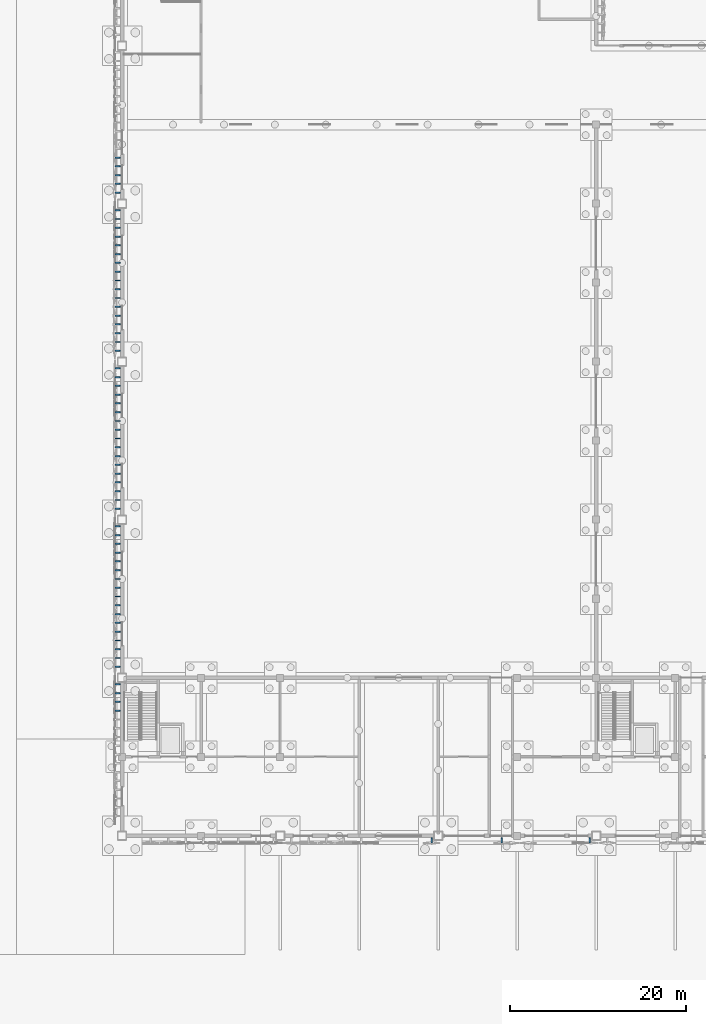
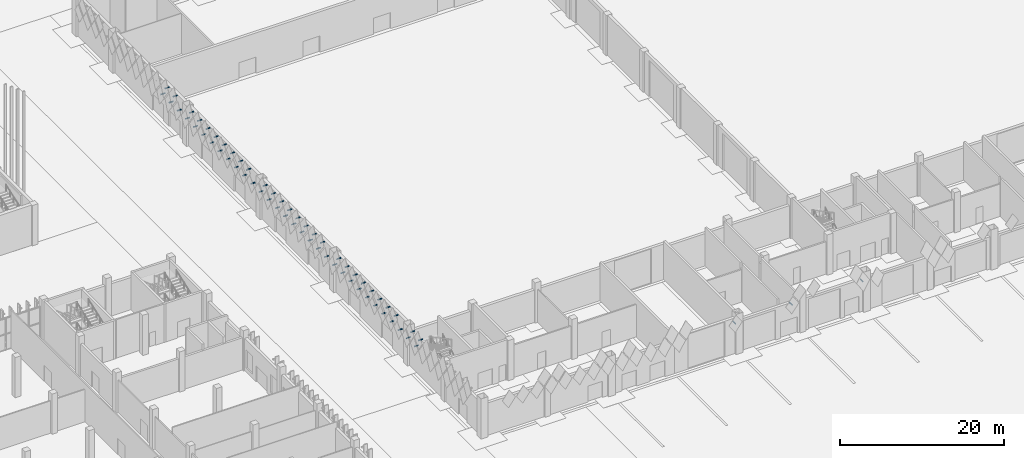
# One storey, part 118 of 198: 63 discrete accessories.
"""IFC4 building model written with IfcOpenShell, lengths in metres."""

from ifc_helpers import new_model, si_unit, direction, frame, origin, place, context, subcontext, project, spatial, polyline, outline, extrude, material, type_object, element, save


model = new_model("IFC4")

# Units and contexts
model_context = context("Model", 3, precision=1e-05, world=origin(), true_north=direction((0.0, 1.0)))
body_context = subcontext(model_context, "Body", "Model", "MODEL_VIEW")
ifc_project = project(units=[si_unit("LENGTHUNIT", "METRE"), si_unit("AREAUNIT", "SQUARE_METRE"), si_unit("VOLUMEUNIT", "CUBIC_METRE"), si_unit("PLANEANGLEUNIT", "RADIAN"), si_unit("MASSUNIT", "GRAM", prefix="KILO")], contexts=[model_context])

# Site, building, storey
site_placement = place(None, origin())
site = spatial("IfcSite", under=ifc_project, at=site_placement, CompositionType="ELEMENT")
building_placement = place(site_placement, origin())
building = spatial("IfcBuilding", under=site, at=building_placement, Name="Opaline Strait Convention Centre", CompositionType="ELEMENT")
storey_placement = place(building_placement, origin())
storey = spatial("IfcBuildingStorey", under=building, at=storey_placement, Name="L00", CompositionType="ELEMENT", Elevation=0.0)

# Discrete accessories
ifc_material = material(Name="Steel Q355B", Category="steel")
discrete_accessory_type = type_object("IfcDiscreteAccessoryType", Name="Tile bracket 100x100 steel", PredefinedType="BRACKET", material=ifc_material)
discrete_accessory_1_placement = place(storey_placement, frame((134.199951171875, 53.800048828125, 4.89208984375), z_axis=(1.0, 0.0, 0.0), x_axis=(0.0, 1.0, 0.0)))
element("IfcDiscreteAccessory", 1, at=discrete_accessory_1_placement, inside=storey, type_object=discrete_accessory_type, Name="Tile bracket XT09 S", PredefinedType="BRACKET", context=body_context, shape_type="SweptSolid", body=[
    extrude(outline(polyline([(0.0, -0.050048828125), (0.0, 0.050048828125), (-0.60400390625, 0.050048828125), (-0.595947265625, -0.050048828125), (0.0, -0.050048828125)])), origin(), (0.0, 0.0, 1.0), 0.10009765625),
])
discrete_accessory_2_placement = place(storey_placement, frame((142.199951171875, 53.800048828125, 4.89208984375), z_axis=(1.0, 0.0, 0.0), x_axis=(0.0, 1.0, 0.0)))
element("IfcDiscreteAccessory", 2, at=discrete_accessory_2_placement, inside=storey, type_object=discrete_accessory_type, Name="Tile bracket XT11 S", PredefinedType="BRACKET", context=body_context, shape_type="SweptSolid", body=[
    extrude(outline(polyline([(0.0, -0.050048828125), (0.0, 0.050048828125), (-0.604736328125, 0.050048828125), (-0.59521484375, -0.050048828125), (0.0, -0.050048828125)])), origin(), (0.0, 0.0, 1.0), 0.10009765625),
])
discrete_accessory_3_placement = place(storey_placement, frame((152.199951171875, 53.800048828125, 4.89208984375), z_axis=(1.0, 0.0, 0.0), x_axis=(0.0, 1.0, 0.0)))
element("IfcDiscreteAccessory", 3, at=discrete_accessory_3_placement, inside=storey, type_object=discrete_accessory_type, Name="Tile bracket XT11 S", PredefinedType="BRACKET", context=body_context, shape_type="SweptSolid", body=[
    extrude(outline(polyline([(0.0, -0.050048828125), (0.0, 0.050048828125), (-0.59521484375, 0.050048828125), (-0.604736328125, -0.050048828125), (0.0, -0.050048828125)])), origin(), (0.0, 0.0, 1.0), 0.10009765625),
])
for number, where, z_axis, x_axis, name in (
    (4, (98.800048828125, 131.300048828125, 4.39208984375), (0.0, -1.0, 0.0), (1.0, 0.0, 0.0), "Tile bracket XT13 W"),
    (5, (98.800048828125, 129.300048828125, 4.39208984375), (0.0, -1.0, 0.0), (1.0, 0.0, 0.0), "Tile bracket XT13 W"),
):
    element("IfcDiscreteAccessory", number, at=place(storey_placement, frame(where, z_axis=z_axis, x_axis=x_axis)), inside=storey, type_object=discrete_accessory_type, Name=name, PredefinedType="BRACKET", context=body_context, shape_type="SweptSolid", body=[
        extrude(outline(polyline([(0.0, -0.050048828125), (0.0, 0.050048828125), (-0.59423828125, 0.050048828125), (-0.605712890625, -0.050048828125), (0.0, -0.050048828125)])), origin(), (0.0, 0.0, 1.0), 0.10009765625),
    ])
discrete_accessory_4_placement = place(storey_placement, frame((98.800048828125, 127.300048828125, 4.39208984375), z_axis=(0.0, -1.0, 0.0), x_axis=(1.0, 0.0, 0.0)))
element("IfcDiscreteAccessory", 6, at=discrete_accessory_4_placement, inside=storey, type_object=discrete_accessory_type, Name="Tile bracket XT10 W", PredefinedType="BRACKET", context=body_context, shape_type="SweptSolid", body=[
    extrude(outline(polyline([(0.0, -0.050048828125), (0.0, 0.050048828125), (-0.595703125, 0.050048828125), (-0.604248046875, -0.050048828125), (0.0, -0.050048828125)])), origin(), (0.0, 0.0, 1.0), 0.10009765625),
])
discrete_accessory_5_placement = place(storey_placement, frame((98.800048828125, 125.300048828125, 4.39208984375), z_axis=(0.0, -1.0, 0.0), x_axis=(1.0, 0.0, 0.0)))
element("IfcDiscreteAccessory", 7, at=discrete_accessory_5_placement, inside=storey, type_object=discrete_accessory_type, Name="Tile bracket XT06 W", PredefinedType="BRACKET", context=body_context, shape_type="SweptSolid", body=[
    extrude(outline(polyline([(0.0, -0.050048828125), (0.0, 0.050048828125), (-0.597412109375, 0.050048828125), (-0.6025390625, -0.050048828125), (0.0, -0.050048828125)])), origin(), (0.0, 0.0, 1.0), 0.10009765625),
])
discrete_accessory_6_placement = place(storey_placement, frame((98.800048828125, 123.300048828125, 4.39208984375), z_axis=(0.0, -1.0, 0.0), x_axis=(1.0, 0.0, 0.0)))
element("IfcDiscreteAccessory", 8, at=discrete_accessory_6_placement, inside=storey, type_object=discrete_accessory_type, Name="Tile bracket XT05 W", PredefinedType="BRACKET", context=body_context, shape_type="SweptSolid", body=[
    extrude(outline(polyline([(0.0, -0.050048828125), (0.0, 0.050048828125), (-0.597900390625, 0.050048828125), (-0.602294921875, -0.050048828125), (0.0, -0.050048828125)])), origin(), (0.0, 0.0, 1.0), 0.10009765625),
])
discrete_accessory_7_placement = place(storey_placement, frame((98.800048828125, 121.300048828125, 4.39208984375), z_axis=(0.0, -1.0, 0.0), x_axis=(1.0, 0.0, 0.0)))
element("IfcDiscreteAccessory", 9, at=discrete_accessory_7_placement, inside=storey, type_object=discrete_accessory_type, Name="Tile bracket XT05 W", PredefinedType="BRACKET", context=body_context, shape_type="SweptSolid", body=[
    extrude(outline(polyline([(0.0, -0.050048828125), (0.0, 0.050048828125), (-0.602294921875, 0.050048828125), (-0.597900390625, -0.050048828125), (0.0, -0.050048828125)])), origin(), (0.0, 0.0, 1.0), 0.10009765625),
])
discrete_accessory_8_placement = place(storey_placement, frame((98.800048828125, 119.300048828125, 4.39208984375), z_axis=(0.0, -1.0, 0.0), x_axis=(1.0, 0.0, 0.0)))
element("IfcDiscreteAccessory", 10, at=discrete_accessory_8_placement, inside=storey, type_object=discrete_accessory_type, Name="Tile bracket XT09 W", PredefinedType="BRACKET", context=body_context, shape_type="SweptSolid", body=[
    extrude(outline(polyline([(0.0, -0.050048828125), (0.0, 0.050048828125), (-0.60400390625, 0.050048828125), (-0.595947265625, -0.050048828125), (0.0, -0.050048828125)])), origin(), (0.0, 0.0, 1.0), 0.10009765625),
])
discrete_accessory_9_placement = place(storey_placement, frame((98.800048828125, 117.300048828125, 4.39208984375), z_axis=(0.0, -1.0, 0.0), x_axis=(1.0, 0.0, 0.0)))
element("IfcDiscreteAccessory", 11, at=discrete_accessory_9_placement, inside=storey, type_object=discrete_accessory_type, Name="Tile bracket XT13 W", PredefinedType="BRACKET", context=body_context, shape_type="SweptSolid", body=[
    extrude(outline(polyline([(0.0, -0.050048828125), (0.0, 0.050048828125), (-0.605712890625, 0.050048828125), (-0.59423828125, -0.050048828125), (0.0, -0.050048828125)])), origin(), (0.0, 0.0, 1.0), 0.10009765625),
])
discrete_accessory_10_placement = place(storey_placement, frame((98.800048828125, 115.300048828125, 4.39208984375), z_axis=(0.0, -1.0, 0.0), x_axis=(1.0, 0.0, 0.0)))
element("IfcDiscreteAccessory", 12, at=discrete_accessory_10_placement, inside=storey, type_object=discrete_accessory_type, Name="Tile bracket XT15 W", PredefinedType="BRACKET", context=body_context, shape_type="SweptSolid", body=[
    extrude(outline(polyline([(0.0, -0.050048828125), (0.0, 0.050048828125), (-0.606689453125, 0.050048828125), (-0.593505859375, -0.050048828125), (0.0, -0.050048828125)])), origin(), (0.0, 0.0, 1.0), 0.10009765625),
])
discrete_accessory_11_placement = place(storey_placement, frame((98.800048828125, 113.300048828125, 4.39208984375), z_axis=(0.0, -1.0, 0.0), x_axis=(1.0, 0.0, 0.0)))
element("IfcDiscreteAccessory", 13, at=discrete_accessory_11_placement, inside=storey, type_object=discrete_accessory_type, Name="Tile bracket XT16 W", PredefinedType="BRACKET", context=body_context, shape_type="SweptSolid", body=[
    extrude(outline(polyline([(0.0, -0.050048828125), (0.0, 0.050048828125), (-0.60693359375, 0.050048828125), (-0.593017578125, -0.050048828125), (0.0, -0.050048828125)])), origin(), (0.0, 0.0, 1.0), 0.10009765625),
])
discrete_accessory_12_placement = place(storey_placement, frame((98.800048828125, 111.300048828125, 4.39208984375), z_axis=(0.0, -1.0, 0.0), x_axis=(1.0, 0.0, 0.0)))
element("IfcDiscreteAccessory", 14, at=discrete_accessory_12_placement, inside=storey, type_object=discrete_accessory_type, Name="Tile bracket XT15 W", PredefinedType="BRACKET", context=body_context, shape_type="SweptSolid", body=[
    extrude(outline(polyline([(0.0, -0.050048828125), (0.0, 0.050048828125), (-0.606689453125, 0.050048828125), (-0.593505859375, -0.050048828125), (0.0, -0.050048828125)])), origin(), (0.0, 0.0, 1.0), 0.10009765625),
])
discrete_accessory_13_placement = place(storey_placement, frame((98.800048828125, 109.300048828125, 4.39208984375), z_axis=(0.0, -1.0, 0.0), x_axis=(1.0, 0.0, 0.0)))
element("IfcDiscreteAccessory", 15, at=discrete_accessory_13_placement, inside=storey, type_object=discrete_accessory_type, Name="Tile bracket XT12 W", PredefinedType="BRACKET", context=body_context, shape_type="SweptSolid", body=[
    extrude(outline(polyline([(0.0, -0.050048828125), (0.0, 0.050048828125), (-0.605224609375, 0.050048828125), (-0.5947265625, -0.050048828125), (0.0, -0.050048828125)])), origin(), (0.0, 0.0, 1.0), 0.10009765625),
])
discrete_accessory_14_placement = place(storey_placement, frame((98.800048828125, 107.300048828125, 4.39208984375), z_axis=(0.0, -1.0, 0.0), x_axis=(1.0, 0.0, 0.0)))
element("IfcDiscreteAccessory", 16, at=discrete_accessory_14_placement, inside=storey, type_object=discrete_accessory_type, Name="Tile bracket XT07 W", PredefinedType="BRACKET", context=body_context, shape_type="SweptSolid", body=[
    extrude(outline(polyline([(0.0, -0.050048828125), (0.0, 0.050048828125), (-0.60302734375, 0.050048828125), (-0.596923828125, -0.050048828125), (0.0, -0.050048828125)])), origin(), (0.0, 0.0, 1.0), 0.10009765625),
])
discrete_accessory_15_placement = place(storey_placement, frame((98.800048828125, 105.300048828125, 4.39208984375), z_axis=(0.0, -1.0, 0.0), x_axis=(1.0, 0.0, 0.0)))
element("IfcDiscreteAccessory", 17, at=discrete_accessory_15_placement, inside=storey, type_object=discrete_accessory_type, Name="Tile bracket XT06 W", PredefinedType="BRACKET", context=body_context, shape_type="SweptSolid", body=[
    extrude(outline(polyline([(0.0, -0.050048828125), (0.0, 0.050048828125), (-0.6025390625, 0.050048828125), (-0.597412109375, -0.050048828125), (0.0, -0.050048828125)])), origin(), (0.0, 0.0, 1.0), 0.10009765625),
])
discrete_accessory_16_placement = place(storey_placement, frame((98.800048828125, 103.300048828125, 4.39208984375), z_axis=(0.0, -1.0, 0.0), x_axis=(1.0, 0.0, 0.0)))
element("IfcDiscreteAccessory", 18, at=discrete_accessory_16_placement, inside=storey, type_object=discrete_accessory_type, Name="Tile bracket XT06 W", PredefinedType="BRACKET", context=body_context, shape_type="SweptSolid", body=[
    extrude(outline(polyline([(0.0, -0.050048828125), (0.0, 0.050048828125), (-0.597412109375, 0.050048828125), (-0.6025390625, -0.050048828125), (0.0, -0.050048828125)])), origin(), (0.0, 0.0, 1.0), 0.10009765625),
])
discrete_accessory_17_placement = place(storey_placement, frame((98.800048828125, 101.300048828125, 4.39208984375), z_axis=(0.0, -1.0, 0.0), x_axis=(1.0, 0.0, 0.0)))
element("IfcDiscreteAccessory", 19, at=discrete_accessory_17_placement, inside=storey, type_object=discrete_accessory_type, Name="Tile bracket XT10 W", PredefinedType="BRACKET", context=body_context, shape_type="SweptSolid", body=[
    extrude(outline(polyline([(0.0, -0.050048828125), (0.0, 0.050048828125), (-0.595703125, 0.050048828125), (-0.604248046875, -0.050048828125), (0.0, -0.050048828125)])), origin(), (0.0, 0.0, 1.0), 0.10009765625),
])
discrete_accessory_18_placement = place(storey_placement, frame((98.800048828125, 99.300048828125, 4.39208984375), z_axis=(0.0, -1.0, 0.0), x_axis=(1.0, 0.0, 0.0)))
element("IfcDiscreteAccessory", 20, at=discrete_accessory_18_placement, inside=storey, type_object=discrete_accessory_type, Name="Tile bracket XT14 W", PredefinedType="BRACKET", context=body_context, shape_type="SweptSolid", body=[
    extrude(outline(polyline([(0.0, -0.050048828125), (0.0, 0.050048828125), (-0.59375, 0.050048828125), (-0.606201171875, -0.050048828125), (0.0, -0.050048828125)])), origin(), (0.0, 0.0, 1.0), 0.10009765625),
])
discrete_accessory_19_placement = place(storey_placement, frame((98.800048828125, 97.300048828125, 4.39208984375), z_axis=(0.0, -1.0, 0.0), x_axis=(1.0, 0.0, 0.0)))
element("IfcDiscreteAccessory", 21, at=discrete_accessory_19_placement, inside=storey, type_object=discrete_accessory_type, Name="Tile bracket XT16 W", PredefinedType="BRACKET", context=body_context, shape_type="SweptSolid", body=[
    extrude(outline(polyline([(0.0, -0.050048828125), (0.0, 0.050048828125), (-0.593017578125, 0.050048828125), (-0.60693359375, -0.050048828125), (0.0, -0.050048828125)])), origin(), (0.0, 0.0, 1.0), 0.10009765625),
])
discrete_accessory_20_placement = place(storey_placement, frame((98.800048828125, 95.300048828125, 4.39208984375), z_axis=(0.0, -1.0, 0.0), x_axis=(1.0, 0.0, 0.0)))
element("IfcDiscreteAccessory", 22, at=discrete_accessory_20_placement, inside=storey, type_object=discrete_accessory_type, Name="Tile bracket XT17 W", PredefinedType="BRACKET", context=body_context, shape_type="SweptSolid", body=[
    extrude(outline(polyline([(0.0, -0.050048828125), (0.0, 0.050048828125), (-0.592529296875, 0.050048828125), (-0.607421875, -0.050048828125), (0.0, -0.050048828125)])), origin(), (0.0, 0.0, 1.0), 0.10009765625),
])
discrete_accessory_21_placement = place(storey_placement, frame((98.800048828125, 93.300048828125, 4.39208984375), z_axis=(0.0, -1.0, 0.0), x_axis=(1.0, 0.0, 0.0)))
element("IfcDiscreteAccessory", 23, at=discrete_accessory_21_placement, inside=storey, type_object=discrete_accessory_type, Name="Tile bracket XT15 W", PredefinedType="BRACKET", context=body_context, shape_type="SweptSolid", body=[
    extrude(outline(polyline([(0.0, -0.050048828125), (0.0, 0.050048828125), (-0.593505859375, 0.050048828125), (-0.606689453125, -0.050048828125), (0.0, -0.050048828125)])), origin(), (0.0, 0.0, 1.0), 0.10009765625),
])
discrete_accessory_22_placement = place(storey_placement, frame((98.800048828125, 91.300048828125, 4.39208984375), z_axis=(0.0, -1.0, 0.0), x_axis=(1.0, 0.0, 0.0)))
element("IfcDiscreteAccessory", 24, at=discrete_accessory_22_placement, inside=storey, type_object=discrete_accessory_type, Name="Tile bracket XT11 W", PredefinedType="BRACKET", context=body_context, shape_type="SweptSolid", body=[
    extrude(outline(polyline([(0.0, -0.050048828125), (0.0, 0.050048828125), (-0.59521484375, 0.050048828125), (-0.604736328125, -0.050048828125), (0.0, -0.050048828125)])), origin(), (0.0, 0.0, 1.0), 0.10009765625),
])
discrete_accessory_23_placement = place(storey_placement, frame((98.800048828125, 89.300048828125, 4.39208984375), z_axis=(0.0, -1.0, 0.0), x_axis=(1.0, 0.0, 0.0)))
element("IfcDiscreteAccessory", 25, at=discrete_accessory_23_placement, inside=storey, type_object=discrete_accessory_type, Name="Tile bracket XT07 W", PredefinedType="BRACKET", context=body_context, shape_type="SweptSolid", body=[
    extrude(outline(polyline([(0.0, -0.050048828125), (0.0, 0.050048828125), (-0.596923828125, 0.050048828125), (-0.60302734375, -0.050048828125), (0.0, -0.050048828125)])), origin(), (0.0, 0.0, 1.0), 0.10009765625),
])
discrete_accessory_24_placement = place(storey_placement, frame((98.800048828125, 87.300048828125, 4.39208984375), z_axis=(0.0, -1.0, 0.0), x_axis=(1.0, 0.0, 0.0)))
element("IfcDiscreteAccessory", 26, at=discrete_accessory_24_placement, inside=storey, type_object=discrete_accessory_type, Name="Tile bracket XT06 W", PredefinedType="BRACKET", context=body_context, shape_type="SweptSolid", body=[
    extrude(outline(polyline([(0.0, -0.050048828125), (0.0, 0.050048828125), (-0.597412109375, 0.050048828125), (-0.6025390625, -0.050048828125), (0.0, -0.050048828125)])), origin(), (0.0, 0.0, 1.0), 0.10009765625),
])
discrete_accessory_25_placement = place(storey_placement, frame((98.800048828125, 85.300048828125, 4.39208984375), z_axis=(0.0, -1.0, 0.0), x_axis=(1.0, 0.0, 0.0)))
element("IfcDiscreteAccessory", 27, at=discrete_accessory_25_placement, inside=storey, type_object=discrete_accessory_type, Name="Tile bracket XT05 W", PredefinedType="BRACKET", context=body_context, shape_type="SweptSolid", body=[
    extrude(outline(polyline([(0.0, -0.050048828125), (0.0, 0.050048828125), (-0.602294921875, 0.050048828125), (-0.597900390625, -0.050048828125), (0.0, -0.050048828125)])), origin(), (0.0, 0.0, 1.0), 0.10009765625),
])
discrete_accessory_26_placement = place(storey_placement, frame((98.800048828125, 83.300048828125, 4.39208984375), z_axis=(0.0, -1.0, 0.0), x_axis=(1.0, 0.0, 0.0)))
element("IfcDiscreteAccessory", 28, at=discrete_accessory_26_placement, inside=storey, type_object=discrete_accessory_type, Name="Tile bracket XT09 W", PredefinedType="BRACKET", context=body_context, shape_type="SweptSolid", body=[
    extrude(outline(polyline([(0.0, -0.050048828125), (0.0, 0.050048828125), (-0.60400390625, 0.050048828125), (-0.595947265625, -0.050048828125), (0.0, -0.050048828125)])), origin(), (0.0, 0.0, 1.0), 0.10009765625),
])
discrete_accessory_27_placement = place(storey_placement, frame((98.800048828125, 81.300048828125, 4.39208984375), z_axis=(0.0, -1.0, 0.0), x_axis=(1.0, 0.0, 0.0)))
element("IfcDiscreteAccessory", 29, at=discrete_accessory_27_placement, inside=storey, type_object=discrete_accessory_type, Name="Tile bracket XT11 W", PredefinedType="BRACKET", context=body_context, shape_type="SweptSolid", body=[
    extrude(outline(polyline([(0.0, -0.050048828125), (0.0, 0.050048828125), (-0.604736328125, 0.050048828125), (-0.59521484375, -0.050048828125), (0.0, -0.050048828125)])), origin(), (0.0, 0.0, 1.0), 0.10009765625),
])
for number, where, z_axis, x_axis, name in (
    (30, (98.800048828125, 79.300048828125, 4.39208984375), (0.0, -1.0, 0.0), (1.0, 0.0, 0.0), "Tile bracket XT13 W"),
    (31, (98.800048828125, 77.300048828125, 4.39208984375), (0.0, -1.0, 0.0), (1.0, 0.0, 0.0), "Tile bracket XT13 W"),
):
    element("IfcDiscreteAccessory", number, at=place(storey_placement, frame(where, z_axis=z_axis, x_axis=x_axis)), inside=storey, type_object=discrete_accessory_type, Name=name, PredefinedType="BRACKET", context=body_context, shape_type="SweptSolid", body=[
        extrude(outline(polyline([(0.0, -0.050048828125), (0.0, 0.050048828125), (-0.605712890625, 0.050048828125), (-0.59423828125, -0.050048828125), (0.0, -0.050048828125)])), origin(), (0.0, 0.0, 1.0), 0.10009765625),
    ])
discrete_accessory_28_placement = place(storey_placement, frame((98.800048828125, 75.300048828125, 4.39208984375), z_axis=(0.0, -1.0, 0.0), x_axis=(1.0, 0.0, 0.0)))
element("IfcDiscreteAccessory", 32, at=discrete_accessory_28_placement, inside=storey, type_object=discrete_accessory_type, Name="Tile bracket XT12 W", PredefinedType="BRACKET", context=body_context, shape_type="SweptSolid", body=[
    extrude(outline(polyline([(0.0, -0.050048828125), (0.0, 0.050048828125), (-0.605224609375, 0.050048828125), (-0.5947265625, -0.050048828125), (0.0, -0.050048828125)])), origin(), (0.0, 0.0, 1.0), 0.10009765625),
])
discrete_accessory_29_placement = place(storey_placement, frame((98.800048828125, 73.300048828125, 4.39208984375), z_axis=(0.0, -1.0, 0.0), x_axis=(1.0, 0.0, 0.0)))
element("IfcDiscreteAccessory", 33, at=discrete_accessory_29_placement, inside=storey, type_object=discrete_accessory_type, Name="Tile bracket XT09 W", PredefinedType="BRACKET", context=body_context, shape_type="SweptSolid", body=[
    extrude(outline(polyline([(0.0, -0.050048828125), (0.0, 0.050048828125), (-0.60400390625, 0.050048828125), (-0.595947265625, -0.050048828125), (0.0, -0.050048828125)])), origin(), (0.0, 0.0, 1.0), 0.10009765625),
])
discrete_accessory_30_placement = place(storey_placement, frame((98.800048828125, 71.300048828125, 4.39208984375), z_axis=(0.0, -1.0, 0.0), x_axis=(1.0, 0.0, 0.0)))
element("IfcDiscreteAccessory", 34, at=discrete_accessory_30_placement, inside=storey, type_object=discrete_accessory_type, Name="Tile bracket XT05 W", PredefinedType="BRACKET", context=body_context, shape_type="SweptSolid", body=[
    extrude(outline(polyline([(0.0, -0.050048828125), (0.0, 0.050048828125), (-0.602294921875, 0.050048828125), (-0.597900390625, -0.050048828125), (0.0, -0.050048828125)])), origin(), (0.0, 0.0, 1.0), 0.10009765625),
])
discrete_accessory_31_placement = place(storey_placement, frame((98.800048828125, 69.300048828125, 4.39208984375), z_axis=(0.0, -1.0, 0.0), x_axis=(1.0, 0.0, 0.0)))
element("IfcDiscreteAccessory", 35, at=discrete_accessory_31_placement, inside=storey, type_object=discrete_accessory_type, Name="Tile bracket XT04 W", PredefinedType="BRACKET", context=body_context, shape_type="SweptSolid", body=[
    extrude(outline(polyline([(0.0, -0.050048828125), (0.0, 0.050048828125), (-0.601806640625, 0.050048828125), (-0.59814453125, -0.050048828125), (0.0, -0.050048828125)])), origin(), (0.0, 0.0, 1.0), 0.10009765625),
])
for number, where, z_axis, x_axis, name in (
    (36, (98.800048828125, 130.300048828125, 5.89208984375), (0.0, -1.0, 0.0), (1.0, 0.0, 0.0), "Tile bracket XT13 W"),
    (37, (98.800048828125, 128.300048828125, 5.89208984375), (0.0, -1.0, 0.0), (1.0, 0.0, 0.0), "Tile bracket XT13 W"),
):
    element("IfcDiscreteAccessory", number, at=place(storey_placement, frame(where, z_axis=z_axis, x_axis=x_axis)), inside=storey, type_object=discrete_accessory_type, Name=name, PredefinedType="BRACKET", context=body_context, shape_type="SweptSolid", body=[
        extrude(outline(polyline([(0.0, -0.050048828125), (0.0, 0.050048828125), (-0.59423828125, 0.050048828125), (-0.605712890625, -0.050048828125), (0.0, -0.050048828125)])), origin(), (0.0, 0.0, 1.0), 0.10009765625),
    ])
discrete_accessory_32_placement = place(storey_placement, frame((98.800048828125, 124.300048828125, 5.89208984375), z_axis=(0.0, -1.0, 0.0), x_axis=(1.0, 0.0, 0.0)))
element("IfcDiscreteAccessory", 38, at=discrete_accessory_32_placement, inside=storey, type_object=discrete_accessory_type, Name="Tile bracket XT07 W", PredefinedType="BRACKET", context=body_context, shape_type="SweptSolid", body=[
    extrude(outline(polyline([(0.0, -0.050048828125), (0.0, 0.050048828125), (-0.596923828125, 0.050048828125), (-0.60302734375, -0.050048828125), (0.0, -0.050048828125)])), origin(), (0.0, 0.0, 1.0), 0.10009765625),
])
discrete_accessory_33_placement = place(storey_placement, frame((98.800048828125, 122.300048828125, 5.89208984375), z_axis=(0.0, -1.0, 0.0), x_axis=(1.0, 0.0, 0.0)))
element("IfcDiscreteAccessory", 39, at=discrete_accessory_33_placement, inside=storey, type_object=discrete_accessory_type, Name="Tile bracket XT05 W", PredefinedType="BRACKET", context=body_context, shape_type="SweptSolid", body=[
    extrude(outline(polyline([(0.0, -0.050048828125), (0.0, 0.050048828125), (-0.597900390625, 0.050048828125), (-0.602294921875, -0.050048828125), (0.0, -0.050048828125)])), origin(), (0.0, 0.0, 1.0), 0.10009765625),
])
discrete_accessory_34_placement = place(storey_placement, frame((98.800048828125, 120.300048828125, 5.89208984375), z_axis=(0.0, -1.0, 0.0), x_axis=(1.0, 0.0, 0.0)))
element("IfcDiscreteAccessory", 40, at=discrete_accessory_34_placement, inside=storey, type_object=discrete_accessory_type, Name="Tile bracket XT05 W", PredefinedType="BRACKET", context=body_context, shape_type="SweptSolid", body=[
    extrude(outline(polyline([(0.0, -0.050048828125), (0.0, 0.050048828125), (-0.602294921875, 0.050048828125), (-0.597900390625, -0.050048828125), (0.0, -0.050048828125)])), origin(), (0.0, 0.0, 1.0), 0.10009765625),
])
discrete_accessory_35_placement = place(storey_placement, frame((98.800048828125, 118.300048828125, 5.89208984375), z_axis=(0.0, -1.0, 0.0), x_axis=(1.0, 0.0, 0.0)))
element("IfcDiscreteAccessory", 41, at=discrete_accessory_35_placement, inside=storey, type_object=discrete_accessory_type, Name="Tile bracket XT09 W", PredefinedType="BRACKET", context=body_context, shape_type="SweptSolid", body=[
    extrude(outline(polyline([(0.0, -0.050048828125), (0.0, 0.050048828125), (-0.60400390625, 0.050048828125), (-0.595947265625, -0.050048828125), (0.0, -0.050048828125)])), origin(), (0.0, 0.0, 1.0), 0.10009765625),
])
discrete_accessory_36_placement = place(storey_placement, frame((98.800048828125, 116.300048828125, 5.89208984375), z_axis=(0.0, -1.0, 0.0), x_axis=(1.0, 0.0, 0.0)))
element("IfcDiscreteAccessory", 42, at=discrete_accessory_36_placement, inside=storey, type_object=discrete_accessory_type, Name="Tile bracket XT13 W", PredefinedType="BRACKET", context=body_context, shape_type="SweptSolid", body=[
    extrude(outline(polyline([(0.0, -0.050048828125), (0.0, 0.050048828125), (-0.605712890625, 0.050048828125), (-0.59423828125, -0.050048828125), (0.0, -0.050048828125)])), origin(), (0.0, 0.0, 1.0), 0.10009765625),
])
discrete_accessory_37_placement = place(storey_placement, frame((98.800048828125, 114.300048828125, 5.89208984375), z_axis=(0.0, -1.0, 0.0), x_axis=(1.0, 0.0, 0.0)))
element("IfcDiscreteAccessory", 43, at=discrete_accessory_37_placement, inside=storey, type_object=discrete_accessory_type, Name="Tile bracket XT15 W", PredefinedType="BRACKET", context=body_context, shape_type="SweptSolid", body=[
    extrude(outline(polyline([(0.0, -0.050048828125), (0.0, 0.050048828125), (-0.606689453125, 0.050048828125), (-0.593505859375, -0.050048828125), (0.0, -0.050048828125)])), origin(), (0.0, 0.0, 1.0), 0.10009765625),
])
discrete_accessory_38_placement = place(storey_placement, frame((98.800048828125, 112.300048828125, 5.89208984375), z_axis=(0.0, -1.0, 0.0), x_axis=(1.0, 0.0, 0.0)))
element("IfcDiscreteAccessory", 44, at=discrete_accessory_38_placement, inside=storey, type_object=discrete_accessory_type, Name="Tile bracket XT17 W", PredefinedType="BRACKET", context=body_context, shape_type="SweptSolid", body=[
    extrude(outline(polyline([(0.0, -0.050048828125), (0.0, 0.050048828125), (-0.607421875, 0.050048828125), (-0.592529296875, -0.050048828125), (0.0, -0.050048828125)])), origin(), (0.0, 0.0, 1.0), 0.10009765625),
])
discrete_accessory_39_placement = place(storey_placement, frame((98.800048828125, 110.300048828125, 5.89208984375), z_axis=(0.0, -1.0, 0.0), x_axis=(1.0, 0.0, 0.0)))
element("IfcDiscreteAccessory", 45, at=discrete_accessory_39_placement, inside=storey, type_object=discrete_accessory_type, Name="Tile bracket XT16 W", PredefinedType="BRACKET", context=body_context, shape_type="SweptSolid", body=[
    extrude(outline(polyline([(0.0, -0.050048828125), (0.0, 0.050048828125), (-0.60693359375, 0.050048828125), (-0.593017578125, -0.050048828125), (0.0, -0.050048828125)])), origin(), (0.0, 0.0, 1.0), 0.10009765625),
])
discrete_accessory_40_placement = place(storey_placement, frame((98.800048828125, 106.300048828125, 5.89208984375), z_axis=(0.0, -1.0, 0.0), x_axis=(1.0, 0.0, 0.0)))
element("IfcDiscreteAccessory", 46, at=discrete_accessory_40_placement, inside=storey, type_object=discrete_accessory_type, Name="Tile bracket XT08 W", PredefinedType="BRACKET", context=body_context, shape_type="SweptSolid", body=[
    extrude(outline(polyline([(0.0, -0.050048828125), (0.0, 0.050048828125), (-0.603515625, 0.050048828125), (-0.596435546875, -0.050048828125), (0.0, -0.050048828125)])), origin(), (0.0, 0.0, 1.0), 0.10009765625),
])
discrete_accessory_41_placement = place(storey_placement, frame((98.800048828125, 104.300048828125, 5.89208984375), z_axis=(0.0, -1.0, 0.0), x_axis=(1.0, 0.0, 0.0)))
element("IfcDiscreteAccessory", 47, at=discrete_accessory_41_placement, inside=storey, type_object=discrete_accessory_type, Name="Tile bracket XT06 W", PredefinedType="BRACKET", context=body_context, shape_type="SweptSolid", body=[
    extrude(outline(polyline([(0.0, -0.050048828125), (0.0, 0.050048828125), (-0.6025390625, 0.050048828125), (-0.597412109375, -0.050048828125), (0.0, -0.050048828125)])), origin(), (0.0, 0.0, 1.0), 0.10009765625),
])
discrete_accessory_42_placement = place(storey_placement, frame((98.800048828125, 102.300048828125, 5.89208984375), z_axis=(0.0, -1.0, 0.0), x_axis=(1.0, 0.0, 0.0)))
element("IfcDiscreteAccessory", 48, at=discrete_accessory_42_placement, inside=storey, type_object=discrete_accessory_type, Name="Tile bracket XT06 W", PredefinedType="BRACKET", context=body_context, shape_type="SweptSolid", body=[
    extrude(outline(polyline([(0.0, -0.050048828125), (0.0, 0.050048828125), (-0.597412109375, 0.050048828125), (-0.6025390625, -0.050048828125), (0.0, -0.050048828125)])), origin(), (0.0, 0.0, 1.0), 0.10009765625),
])
discrete_accessory_43_placement = place(storey_placement, frame((98.800048828125, 100.300048828125, 5.89208984375), z_axis=(0.0, -1.0, 0.0), x_axis=(1.0, 0.0, 0.0)))
element("IfcDiscreteAccessory", 49, at=discrete_accessory_43_placement, inside=storey, type_object=discrete_accessory_type, Name="Tile bracket XT09 W", PredefinedType="BRACKET", context=body_context, shape_type="SweptSolid", body=[
    extrude(outline(polyline([(0.0, -0.050048828125), (0.0, 0.050048828125), (-0.595947265625, 0.050048828125), (-0.60400390625, -0.050048828125), (0.0, -0.050048828125)])), origin(), (0.0, 0.0, 1.0), 0.10009765625),
])
discrete_accessory_44_placement = place(storey_placement, frame((98.800048828125, 98.300048828125, 5.89208984375), z_axis=(0.0, -1.0, 0.0), x_axis=(1.0, 0.0, 0.0)))
element("IfcDiscreteAccessory", 50, at=discrete_accessory_44_placement, inside=storey, type_object=discrete_accessory_type, Name="Tile bracket XT14 W", PredefinedType="BRACKET", context=body_context, shape_type="SweptSolid", body=[
    extrude(outline(polyline([(0.0, -0.050048828125), (0.0, 0.050048828125), (-0.59375, 0.050048828125), (-0.606201171875, -0.050048828125), (0.0, -0.050048828125)])), origin(), (0.0, 0.0, 1.0), 0.10009765625),
])
discrete_accessory_45_placement = place(storey_placement, frame((98.800048828125, 96.300048828125, 5.89208984375), z_axis=(0.0, -1.0, 0.0), x_axis=(1.0, 0.0, 0.0)))
element("IfcDiscreteAccessory", 51, at=discrete_accessory_45_placement, inside=storey, type_object=discrete_accessory_type, Name="Tile bracket XT16 W", PredefinedType="BRACKET", context=body_context, shape_type="SweptSolid", body=[
    extrude(outline(polyline([(0.0, -0.050048828125), (0.0, 0.050048828125), (-0.593017578125, 0.050048828125), (-0.60693359375, -0.050048828125), (0.0, -0.050048828125)])), origin(), (0.0, 0.0, 1.0), 0.10009765625),
])
discrete_accessory_46_placement = place(storey_placement, frame((98.800048828125, 94.300048828125, 5.89208984375), z_axis=(0.0, -1.0, 0.0), x_axis=(1.0, 0.0, 0.0)))
element("IfcDiscreteAccessory", 52, at=discrete_accessory_46_placement, inside=storey, type_object=discrete_accessory_type, Name="Tile bracket XT17 W", PredefinedType="BRACKET", context=body_context, shape_type="SweptSolid", body=[
    extrude(outline(polyline([(0.0, -0.050048828125), (0.0, 0.050048828125), (-0.592529296875, 0.050048828125), (-0.607421875, -0.050048828125), (0.0, -0.050048828125)])), origin(), (0.0, 0.0, 1.0), 0.10009765625),
])
discrete_accessory_47_placement = place(storey_placement, frame((98.800048828125, 92.300048828125, 5.89208984375), z_axis=(0.0, -1.0, 0.0), x_axis=(1.0, 0.0, 0.0)))
element("IfcDiscreteAccessory", 53, at=discrete_accessory_47_placement, inside=storey, type_object=discrete_accessory_type, Name="Tile bracket XT15 W", PredefinedType="BRACKET", context=body_context, shape_type="SweptSolid", body=[
    extrude(outline(polyline([(0.0, -0.050048828125), (0.0, 0.050048828125), (-0.593505859375, 0.050048828125), (-0.606689453125, -0.050048828125), (0.0, -0.050048828125)])), origin(), (0.0, 0.0, 1.0), 0.10009765625),
])
discrete_accessory_48_placement = place(storey_placement, frame((98.800048828125, 88.300048828125, 5.89208984375), z_axis=(0.0, -1.0, 0.0), x_axis=(1.0, 0.0, 0.0)))
element("IfcDiscreteAccessory", 54, at=discrete_accessory_48_placement, inside=storey, type_object=discrete_accessory_type, Name="Tile bracket XT07 W", PredefinedType="BRACKET", context=body_context, shape_type="SweptSolid", body=[
    extrude(outline(polyline([(0.0, -0.050048828125), (0.0, 0.050048828125), (-0.596923828125, 0.050048828125), (-0.60302734375, -0.050048828125), (0.0, -0.050048828125)])), origin(), (0.0, 0.0, 1.0), 0.10009765625),
])
discrete_accessory_49_placement = place(storey_placement, frame((98.800048828125, 86.300048828125, 5.89208984375), z_axis=(0.0, -1.0, 0.0), x_axis=(1.0, 0.0, 0.0)))
element("IfcDiscreteAccessory", 55, at=discrete_accessory_49_placement, inside=storey, type_object=discrete_accessory_type, Name="Tile bracket XT05 W", PredefinedType="BRACKET", context=body_context, shape_type="SweptSolid", body=[
    extrude(outline(polyline([(0.0, -0.050048828125), (0.0, 0.050048828125), (-0.597900390625, 0.050048828125), (-0.602294921875, -0.050048828125), (0.0, -0.050048828125)])), origin(), (0.0, 0.0, 1.0), 0.10009765625),
])
discrete_accessory_50_placement = place(storey_placement, frame((98.800048828125, 84.300048828125, 5.89208984375), z_axis=(0.0, -1.0, 0.0), x_axis=(1.0, 0.0, 0.0)))
element("IfcDiscreteAccessory", 56, at=discrete_accessory_50_placement, inside=storey, type_object=discrete_accessory_type, Name="Tile bracket XT05 W", PredefinedType="BRACKET", context=body_context, shape_type="SweptSolid", body=[
    extrude(outline(polyline([(0.0, -0.050048828125), (0.0, 0.050048828125), (-0.602294921875, 0.050048828125), (-0.597900390625, -0.050048828125), (0.0, -0.050048828125)])), origin(), (0.0, 0.0, 1.0), 0.10009765625),
])
discrete_accessory_51_placement = place(storey_placement, frame((98.800048828125, 82.300048828125, 5.89208984375), z_axis=(0.0, -1.0, 0.0), x_axis=(1.0, 0.0, 0.0)))
element("IfcDiscreteAccessory", 57, at=discrete_accessory_51_placement, inside=storey, type_object=discrete_accessory_type, Name="Tile bracket XT08 W", PredefinedType="BRACKET", context=body_context, shape_type="SweptSolid", body=[
    extrude(outline(polyline([(0.0, -0.050048828125), (0.0, 0.050048828125), (-0.603515625, 0.050048828125), (-0.596435546875, -0.050048828125), (0.0, -0.050048828125)])), origin(), (0.0, 0.0, 1.0), 0.10009765625),
])
discrete_accessory_52_placement = place(storey_placement, frame((98.800048828125, 80.300048828125, 5.89208984375), z_axis=(0.0, -1.0, 0.0), x_axis=(1.0, 0.0, 0.0)))
element("IfcDiscreteAccessory", 58, at=discrete_accessory_52_placement, inside=storey, type_object=discrete_accessory_type, Name="Tile bracket XT11 W", PredefinedType="BRACKET", context=body_context, shape_type="SweptSolid", body=[
    extrude(outline(polyline([(0.0, -0.050048828125), (0.0, 0.050048828125), (-0.604736328125, 0.050048828125), (-0.59521484375, -0.050048828125), (0.0, -0.050048828125)])), origin(), (0.0, 0.0, 1.0), 0.10009765625),
])
for number, where, z_axis, x_axis, name in (
    (59, (98.800048828125, 78.300048828125, 5.89208984375), (0.0, -1.0, 0.0), (1.0, 0.0, 0.0), "Tile bracket XT13 W"),
    (60, (98.800048828125, 76.300048828125, 5.89208984375), (0.0, -1.0, 0.0), (1.0, 0.0, 0.0), "Tile bracket XT13 W"),
):
    element("IfcDiscreteAccessory", number, at=place(storey_placement, frame(where, z_axis=z_axis, x_axis=x_axis)), inside=storey, type_object=discrete_accessory_type, Name=name, PredefinedType="BRACKET", context=body_context, shape_type="SweptSolid", body=[
        extrude(outline(polyline([(0.0, -0.050048828125), (0.0, 0.050048828125), (-0.605712890625, 0.050048828125), (-0.59423828125, -0.050048828125), (0.0, -0.050048828125)])), origin(), (0.0, 0.0, 1.0), 0.10009765625),
    ])
discrete_accessory_53_placement = place(storey_placement, frame((98.800048828125, 74.300048828125, 5.89208984375), z_axis=(0.0, -1.0, 0.0), x_axis=(1.0, 0.0, 0.0)))
element("IfcDiscreteAccessory", 61, at=discrete_accessory_53_placement, inside=storey, type_object=discrete_accessory_type, Name="Tile bracket XT12 W", PredefinedType="BRACKET", context=body_context, shape_type="SweptSolid", body=[
    extrude(outline(polyline([(0.0, -0.050048828125), (0.0, 0.050048828125), (-0.605224609375, 0.050048828125), (-0.5947265625, -0.050048828125), (0.0, -0.050048828125)])), origin(), (0.0, 0.0, 1.0), 0.10009765625),
])
discrete_accessory_54_placement = place(storey_placement, frame((98.800048828125, 70.300048828125, 5.89208984375), z_axis=(0.0, -1.0, 0.0), x_axis=(1.0, 0.0, 0.0)))
element("IfcDiscreteAccessory", 62, at=discrete_accessory_54_placement, inside=storey, type_object=discrete_accessory_type, Name="Tile bracket XT05 W", PredefinedType="BRACKET", context=body_context, shape_type="SweptSolid", body=[
    extrude(outline(polyline([(0.0, -0.050048828125), (0.0, 0.050048828125), (-0.602294921875, 0.050048828125), (-0.597900390625, -0.050048828125), (0.0, -0.050048828125)])), origin(), (0.0, 0.0, 1.0), 0.10009765625),
])
discrete_accessory_55_placement = place(storey_placement, frame((98.800048828125, 68.300048828125, 5.89208984375), z_axis=(0.0, -1.0, 0.0), x_axis=(1.0, 0.0, 0.0)))
element("IfcDiscreteAccessory", 63, at=discrete_accessory_55_placement, inside=storey, type_object=discrete_accessory_type, Name="Tile bracket XT04 W", PredefinedType="BRACKET", context=body_context, shape_type="SweptSolid", body=[
    extrude(outline(polyline([(0.0, -0.050048828125), (0.0, 0.050048828125), (-0.601806640625, 0.050048828125), (-0.59814453125, -0.050048828125), (0.0, -0.050048828125)])), origin(), (0.0, 0.0, 1.0), 0.10009765625),
])

save(model, "model.ifc")
